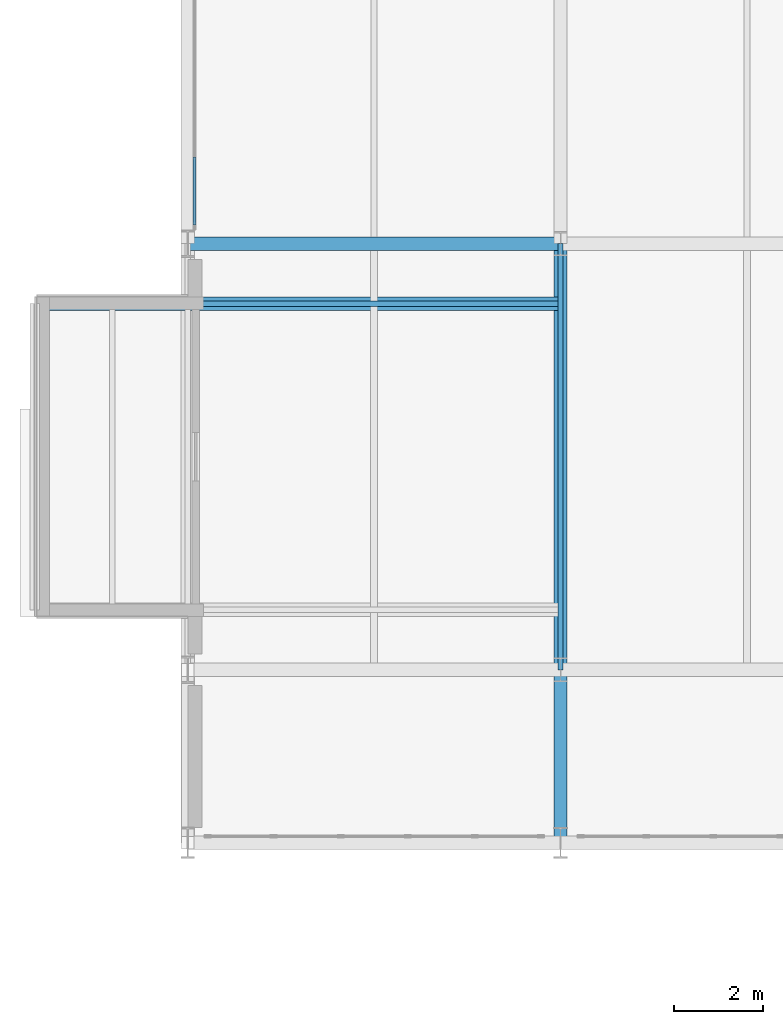
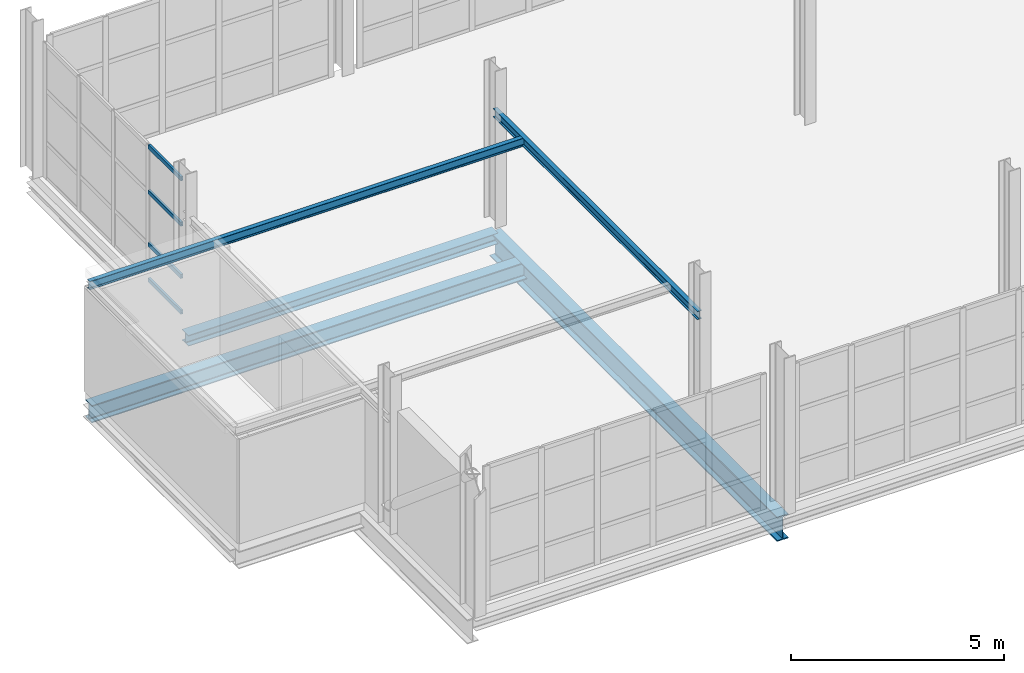
# One storey, part 16 of 109: 5 beams, 4 members, 1 element without a shape of its own.
"""IFC4 building model written with IfcOpenShell, lengths in metres."""

from ifc_helpers import new_model, si_unit, direction, frame, origin, origin_2d, place, context, subcontext, project, spatial, hollow_rectangle, i_section, extrude, material, material_profile, profile_set, type_object, element, aggregate, save


model = new_model("IFC4")

# Units and contexts
model_context = context("Model", 3, precision=1e-05, world=origin(), true_north=direction((0.0, 1.0)))
body_context = subcontext(model_context, "Body", "Model", "MODEL_VIEW")
ifc_project = project(units=[si_unit("LENGTHUNIT", "METRE"), si_unit("AREAUNIT", "SQUARE_METRE"), si_unit("VOLUMEUNIT", "CUBIC_METRE"), si_unit("PLANEANGLEUNIT", "RADIAN"), si_unit("MASSUNIT", "GRAM", prefix="KILO")], contexts=[model_context])

# Site, building, storey
site_placement = place(None, origin())
site = spatial("IfcSite", under=ifc_project, at=site_placement, CompositionType="ELEMENT")
building_placement = place(site_placement, origin())
building = spatial("IfcBuilding", under=site, at=building_placement, Name="Veltarok Museum of Natural Sciences", CompositionType="ELEMENT")
storey_placement = place(building_placement, frame((0.0, 0.0, 17.39990234375)))
storey = spatial("IfcBuildingStorey", under=building, at=storey_placement, Name="L03", CompositionType="ELEMENT", Elevation=17.39990234375)

# Beams
ifc_material_1 = material(Name="Steel S355J2", Category="steel")
ifc_material_profile_1 = material_profile(ifc_material_1, i_section(OverallWidth=0.300048828125, OverallDepth=0.5, WebThickness=0.014404296875, FlangeThickness=0.028076171875, FilletRadius=0.027099609375, at=origin_2d()), Name="HEB 500")
ifc_profile_set_1 = profile_set([ifc_material_profile_1], Name="Steel S355J2")
beam_type_1 = type_object("IfcBeamType", Name="Cabinet Box Cantilever Girder HEB 500", PredefinedType="BEAM", material=ifc_profile_set_1)
beam_1_placement = place(storey_placement, frame((3.0, 17.85009765625, -0.5), z_axis=(1.0, 0.0, 0.0), x_axis=(0.0, 1.0, 0.0)))
element("IfcBeam", 1, at=beam_1_placement, inside=storey, type_object=beam_type_1, Name="Cabinet Cantilever Girder DB-33-2", PredefinedType="BEAM", context=body_context, shape_type="SweptSolid", body=[
    extrude(i_section(OverallWidth=0.300048828125, OverallDepth=0.5, WebThickness=0.014404296875, FlangeThickness=0.028076171875, FilletRadius=0.027099609375, at=origin_2d()), origin(), (0.0, 0.0, 1.0), 11.800048828125),
])
ifc_material_profile_2 = material_profile(ifc_material_1, i_section(OverallWidth=0.1201171875, OverallDepth=0.239990234375, WebThickness=0.006103515625, FlangeThickness=0.009765625, FilletRadius=0.014892578125, at=origin_2d()), Name="IPE 240")
ifc_profile_set_2 = profile_set([ifc_material_profile_2], Name="Steel S355J2")
beam_type_2 = type_object("IfcBeamType", Name="Cabinet Box Secondary Joist IPE 240", PredefinedType="JOIST", material=ifc_profile_set_2)
beam_2_placement = place(storey_placement, frame((3.0, 17.85009765625, 3.130126953125), z_axis=(1.0, 0.0, 0.0), x_axis=(0.0, 1.0, 0.0)))
element("IfcBeam", 2, at=beam_2_placement, inside=storey, type_object=beam_type_2, Name="Cabinet Roof Rafter DB-33-2", PredefinedType="JOIST", context=body_context, shape_type="SweptSolid", body=[
    extrude(i_section(OverallWidth=0.1201171875, OverallDepth=0.239990234375, WebThickness=0.006103515625, FlangeThickness=0.009765625, FilletRadius=0.014892578125, at=origin_2d()), origin(), (0.0, 0.0, 1.0), 11.800048828125),
])
beam_3_placement = place(storey_placement, frame((14.800048828125, 9.60009765625, 3.130126953125), z_axis=(0.0, 1.0, 0.0), x_axis=(-1.0, 0.0, 0.0)))
element("IfcBeam", 3, at=beam_3_placement, inside=storey, type_object=beam_type_2, Name="Cabinet Roof Tie Beam DB-33-I", PredefinedType="JOIST", context=body_context, shape_type="SweptSolid", body=[
    extrude(i_section(OverallWidth=0.1201171875, OverallDepth=0.239990234375, WebThickness=0.006103515625, FlangeThickness=0.009765625, FilletRadius=0.014892578125, at=origin_2d()), origin(), (0.0, 0.0, 1.0), 9.599853515625),
])

# Curtain wall, members
ifc_material_2 = material(Name="Low-iron triple insulated glass", Category="glass")
curtain_wall_type = type_object("IfcCurtainWallType", Name="Curtain Wall System CW-BRG-W-L03-CD-648x388 (Bridge West Forecourt L03 C-D 648x388cm)", PredefinedType="NOTDEFINED", material=ifc_material_2)
curtain_wall_placement = place(storey_placement, origin())
curtain_wall = element("IfcCurtainWall", 4, at=curtain_wall_placement, inside=storey, type_object=curtain_wall_type, Name="Curtain Wall CW-BRG-W-L03-CD-648x388 CW-0046", PredefinedType="NOTDEFINED")
ifc_material_3 = material(Name="Thermally broken anodised aluminium", Category="aluminium")
ifc_material_profile_3 = material_profile(ifc_material_3, hollow_rectangle(XDim=0.06005859375, YDim=0.1201171875, WallThickness=0.0048828125, at=origin_2d()), Name="CW TRANSOM 60x120x5")
ifc_profile_set_3 = profile_set([ifc_material_profile_3], Name="Thermally broken anodised aluminium")
member_type = type_object("IfcMemberType", Name="Curtain Wall Horizontal Transom 60x120x5", PredefinedType="USERDEFINED", material=ifc_profile_set_3)
member_1_placement = place(storey_placement, frame((6.550048828125, 21.14990234375, 0.030029296875), z_axis=(0.0, -1.0, 0.0), x_axis=(1.0, 0.0, 0.0)))
member_1 = element("IfcMember", 5, at=member_1_placement, type_object=member_type, Name="CW-BRG-W-L03-CD-648x388 transom 4.1", ObjectType="TRANSOM", PredefinedType="USERDEFINED", context=body_context, shape_type="SweptSolid", body=[
    extrude(hollow_rectangle(XDim=0.06005859375, YDim=0.1201171875, WallThickness=0.0048828125, at=origin_2d()), origin(), (0.0, 0.0, 1.0), 1.52978515625),
])
member_2_placement = place(storey_placement, frame((6.550048828125, 21.14990234375, 1.050048828125), z_axis=(0.0, -1.0, 0.0), x_axis=(1.0, 0.0, 0.0)))
member_2 = element("IfcMember", 6, at=member_2_placement, type_object=member_type, Name="CW-BRG-W-L03-CD-648x388 transom 4.2", ObjectType="TRANSOM", PredefinedType="USERDEFINED", context=body_context, shape_type="SweptSolid", body=[
    extrude(hollow_rectangle(XDim=0.06005859375, YDim=0.1201171875, WallThickness=0.0048828125, at=origin_2d()), origin(), (0.0, 0.0, 1.0), 1.52978515625),
])
member_3_placement = place(storey_placement, frame((6.550048828125, 21.14990234375, 2.550048828125), z_axis=(0.0, -1.0, 0.0), x_axis=(1.0, 0.0, 0.0)))
member_3 = element("IfcMember", 7, at=member_3_placement, type_object=member_type, Name="CW-BRG-W-L03-CD-648x388 transom 4.3", ObjectType="TRANSOM", PredefinedType="USERDEFINED", context=body_context, shape_type="SweptSolid", body=[
    extrude(hollow_rectangle(XDim=0.06005859375, YDim=0.1201171875, WallThickness=0.0048828125, at=origin_2d()), origin(), (0.0, 0.0, 1.0), 1.52978515625),
])
member_4_placement = place(storey_placement, frame((6.550048828125, 21.14990234375, 3.85009765625), z_axis=(0.0, -1.0, 0.0), x_axis=(1.0, 0.0, 0.0)))
member_4 = element("IfcMember", 8, at=member_4_placement, type_object=member_type, Name="CW-BRG-W-L03-CD-648x388 transom 4.4", ObjectType="TRANSOM", PredefinedType="USERDEFINED", context=body_context, shape_type="SweptSolid", body=[
    extrude(hollow_rectangle(XDim=0.06005859375, YDim=0.1201171875, WallThickness=0.0048828125, at=origin_2d()), origin(), (0.0, 0.0, 1.0), 1.52978515625),
])
aggregate(curtain_wall, [member_1, member_2, member_3, member_4])

# Beams
ifc_material_profile_4 = material_profile(ifc_material_1, i_section(OverallWidth=0.300048828125, OverallDepth=0.699951171875, WebThickness=0.01708984375, FlangeThickness=0.031982421875, FilletRadius=0.027099609375, at=origin_2d()), Name="HEB 700")
ifc_profile_set_4 = profile_set([ifc_material_profile_4], Name="Steel S355J2")
beam_type_3 = type_object("IfcBeamType", Name="Long-Span Hall Girder HEB 700", PredefinedType="BEAM", material=ifc_profile_set_4)
beam_4_placement = place(storey_placement, frame((14.800048828125, 5.699951171875, -0.599853515625), z_axis=(0.0, 1.0, 0.0), x_axis=(-1.0, 0.0, 0.0)))
element("IfcBeam", 9, at=beam_4_placement, inside=storey, type_object=beam_type_3, Name="Bridge Cantilever Girder L03 2", PredefinedType="BEAM", context=body_context, shape_type="SweptSolid", body=[
    extrude(i_section(OverallWidth=0.300048828125, OverallDepth=0.699951171875, WebThickness=0.01708984375, FlangeThickness=0.031982421875, FilletRadius=0.027099609375, at=origin_2d()), origin(), (0.0, 0.0, 1.0), 13.5),
])
ifc_material_profile_5 = material_profile(ifc_material_1, i_section(OverallWidth=0.300048828125, OverallDepth=0.31005859375, WebThickness=0.009033203125, FlangeThickness=0.015380859375, FilletRadius=0.027099609375, at=origin_2d()), Name="HEA 320")
ifc_profile_set_5 = profile_set([ifc_material_profile_5], Name="Steel S355J2")
beam_type_4 = type_object("IfcBeamType", Name="Perimeter Edge Spandrel HEA 320", PredefinedType="SPANDREL", material=ifc_profile_set_5)
beam_5_placement = place(storey_placement, frame((6.39990234375, 19.199951171875, -0.40478515625), z_axis=(1.0, 0.0, 0.0), x_axis=(0.0, 1.0, 0.0)))
element("IfcBeam", 10, at=beam_5_placement, inside=storey, type_object=beam_type_4, Name="Beam BM-SP04 L03 1-2/C", PredefinedType="SPANDREL", context=body_context, shape_type="SweptSolid", body=[
    extrude(i_section(OverallWidth=0.300048828125, OverallDepth=0.31005859375, WebThickness=0.009033203125, FlangeThickness=0.015380859375, FilletRadius=0.027099609375, at=origin_2d()), origin(), (0.0, 0.0, 1.0), 8.400146484375),
])

save(model, "model.ifc")
